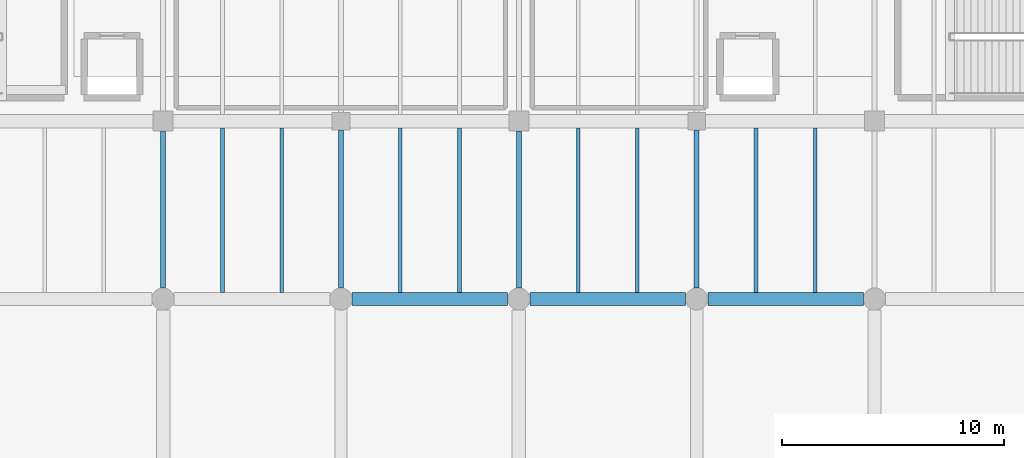
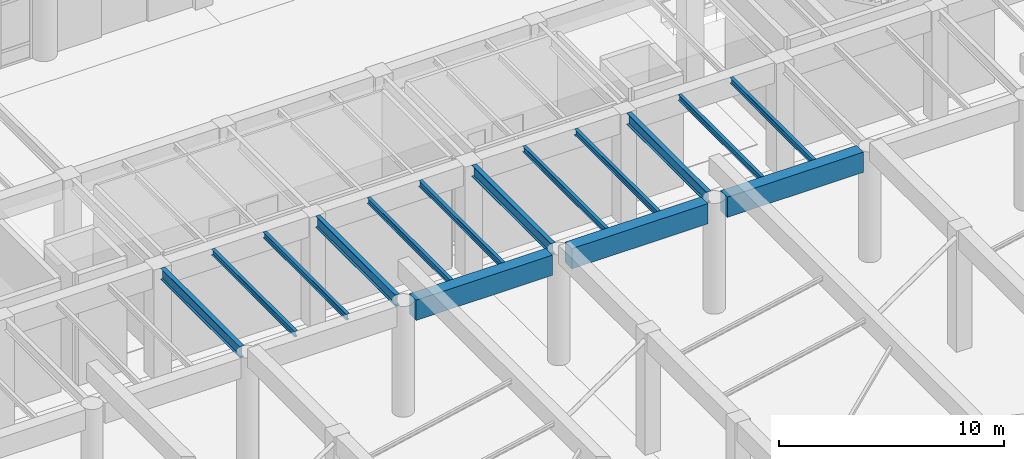
# One storey, part 14 of 51: 15 beams.
"""IFC4 building model written with IfcOpenShell, lengths in metres."""

from ifc_helpers import new_model, si_unit, direction, frame, origin, origin_2d, place, context, subcontext, project, spatial, rectangle, i_section, extrude, material, material_profile, profile_set, type_object, element, save


model = new_model("IFC4")

# Units and contexts
model_context = context("Model", 3, precision=1e-05, world=origin(), true_north=direction((0.0, 1.0)))
body_context = subcontext(model_context, "Body", "Model", "MODEL_VIEW")
ifc_project = project(units=[si_unit("LENGTHUNIT", "METRE"), si_unit("AREAUNIT", "SQUARE_METRE"), si_unit("VOLUMEUNIT", "CUBIC_METRE"), si_unit("PLANEANGLEUNIT", "RADIAN"), si_unit("MASSUNIT", "GRAM", prefix="KILO")], contexts=[model_context])

# Site, building, storey
site_placement = place(None, origin())
site = spatial("IfcSite", under=ifc_project, at=site_placement, CompositionType="ELEMENT")
building_placement = place(site_placement, origin())
building = spatial("IfcBuilding", under=site, at=building_placement, Name="Varnela Railside Interchange", CompositionType="ELEMENT")
storey_placement = place(building_placement, origin())
storey = spatial("IfcBuildingStorey", under=building, at=storey_placement, Name="L00", CompositionType="ELEMENT", Elevation=0.0)

# Beams
ifc_material_1 = material(Name="Steel AR 350 (350 MPa)", Category="steel")
ifc_material_profile_1 = material_profile(ifc_material_1, i_section(OverallWidth=0.1669921875, OverallDepth=0.31689453125, WebThickness=0.007568359375, FlangeThickness=0.01318359375, at=origin_2d()), Name="W310x52")
ifc_profile_set_1 = profile_set([ifc_material_profile_1], Name="Steel AR 350 (350 MPa)")
beam_type_1 = type_object("IfcBeamType", Name="Composite Long-Span Joist J-03", PredefinedType="JOIST", material=ifc_profile_set_1)
for number, where, z_axis, x_axis, name in (
    (1, (70.669921875, 30.300048828125, 5.861572265625), (0.0, 1.0, 0.0), (-1.0, 0.0, 0.0), "Composite Long-Span Joist J-03 (L00) (BM-1181)"),
    (2, (73.330078125, 30.300048828125, 5.861572265625), (0.0, 1.0, 0.0), (-1.0, 0.0, 0.0), "Composite Long-Span Joist J-03 (L00) (BM-1182)"),
    (3, (78.669921875, 30.300048828125, 5.861572265625), (0.0, 1.0, 0.0), (-1.0, 0.0, 0.0), "Composite Long-Span Joist J-03 (L00) (BM-1185)"),
    (4, (81.330078125, 30.300048828125, 5.861572265625), (0.0, 1.0, 0.0), (-1.0, 0.0, 0.0), "Composite Long-Span Joist J-03 (L00) (BM-1186)"),
    (5, (86.669921875, 30.300048828125, 5.861572265625), (0.0, 1.0, 0.0), (-1.0, 0.0, 0.0), "Composite Long-Span Joist J-03 (L00) (BM-1038)"),
    (6, (89.330078125, 30.300048828125, 5.861572265625), (0.0, 1.0, 0.0), (-1.0, 0.0, 0.0), "Composite Long-Span Joist J-03 (L00) (BM-1039)"),
    (7, (94.669921875, 30.300048828125, 5.861572265625), (0.0, 1.0, 0.0), (-1.0, 0.0, 0.0), "Composite Long-Span Joist J-03 (L00) (BM-1042)"),
    (8, (97.330078125, 30.300048828125, 5.861572265625), (0.0, 1.0, 0.0), (-1.0, 0.0, 0.0), "Composite Long-Span Joist J-03 (L00) (BM-1043)"),
):
    element("IfcBeam", number, at=place(storey_placement, frame(where, z_axis=z_axis, x_axis=x_axis)), inside=storey, type_object=beam_type_1, Name=name, PredefinedType="JOIST", context=body_context, shape_type="SweptSolid", body=[
        extrude(i_section(OverallWidth=0.1669921875, OverallDepth=0.31689453125, WebThickness=0.007568359375, FlangeThickness=0.01318359375, at=origin_2d()), origin(), (0.0, 0.0, 1.0), 7.39990234375),
    ])
ifc_material_2 = material(Name="Concrete C50", Category="concrete")
ifc_material_profile_2 = material_profile(ifc_material_2, rectangle(XDim=0.60009765625, YDim=1.10009765625, at=origin_2d()), Name="RC 600x1100")
ifc_profile_set_2 = profile_set([ifc_material_profile_2], Name="Concrete C50")
beam_type_2 = type_object("IfcBeamType", Name="Concourse RC Girder B-06", PredefinedType="BEAM", material=ifc_profile_set_2)
for number, where, z_axis, x_axis, name in (
    (9, (76.5, 30.0, 5.469970703125), (1.0, 0.0, 0.0), (0.0, 1.0, 0.0), "Concourse RC Girder B-06 (L00) (BM-1198)"),
    (10, (84.5, 30.0, 5.469970703125), (1.0, 0.0, 0.0), (0.0, 1.0, 0.0), "Concourse RC Girder B-06 (L00) (BM-1199)"),
    (11, (92.5, 30.0, 5.469970703125), (1.0, 0.0, 0.0), (0.0, 1.0, 0.0), "Concourse RC Girder B-06 (L00) (BM-1200)"),
):
    element("IfcBeam", number, at=place(storey_placement, frame(where, z_axis=z_axis, x_axis=x_axis)), inside=storey, type_object=beam_type_2, Name=name, PredefinedType="BEAM", context=body_context, shape_type="SweptSolid", body=[
        extrude(rectangle(XDim=0.60009765625, YDim=1.10009765625, at=origin_2d()), origin(), (0.0, 0.0, 1.0), 7.0),
    ])
ifc_material_profile_3 = material_profile(ifc_material_1, i_section(OverallWidth=0.22900390625, OverallDepth=0.612060546875, WebThickness=0.011962890625, FlangeThickness=0.01953125, at=origin_2d()), Name="W610x125")
ifc_profile_set_3 = profile_set([ifc_material_profile_3], Name="Steel AR 350 (350 MPa)")
beam_type_3 = type_object("IfcBeamType", Name="Podium Composite Girder B-15", PredefinedType="BEAM", material=ifc_profile_set_3)
beam_1_placement = place(storey_placement, frame((68.0, 30.5, 5.714111328125), z_axis=(0.0, 1.0, 0.0), x_axis=(-1.0, 0.0, 0.0)))
element("IfcBeam", 12, at=beam_1_placement, inside=storey, type_object=beam_type_3, Name="Podium Composite Girder B-15 (L00) (BM-1388)", PredefinedType="BEAM", context=body_context, shape_type="SweptSolid", body=[
    extrude(i_section(OverallWidth=0.22900390625, OverallDepth=0.612060546875, WebThickness=0.011962890625, FlangeThickness=0.01953125, at=origin_2d()), origin(), (0.0, 0.0, 1.0), 7.050048828125),
])
beam_2_placement = place(storey_placement, frame((76.0, 30.5, 5.714111328125), z_axis=(0.0, 1.0, 0.0), x_axis=(-1.0, 0.0, 0.0)))
element("IfcBeam", 13, at=beam_2_placement, inside=storey, type_object=beam_type_3, Name="Podium Composite Girder B-15 (L00) (BM-1300)", PredefinedType="BEAM", context=body_context, shape_type="SweptSolid", body=[
    extrude(i_section(OverallWidth=0.22900390625, OverallDepth=0.612060546875, WebThickness=0.011962890625, FlangeThickness=0.01953125, at=origin_2d()), origin(), (0.0, 0.0, 1.0), 7.10009765625),
])
beam_3_placement = place(storey_placement, frame((84.0, 30.5, 5.714111328125), z_axis=(0.0, 1.0, 0.0), x_axis=(-1.0, 0.0, 0.0)))
element("IfcBeam", 14, at=beam_3_placement, inside=storey, type_object=beam_type_3, Name="Podium Composite Girder B-15 (L00) (BM-1302)", PredefinedType="BEAM", context=body_context, shape_type="SweptSolid", body=[
    extrude(i_section(OverallWidth=0.22900390625, OverallDepth=0.612060546875, WebThickness=0.011962890625, FlangeThickness=0.01953125, at=origin_2d()), origin(), (0.0, 0.0, 1.0), 7.050048828125),
])
beam_4_placement = place(storey_placement, frame((92.0, 30.5, 5.714111328125), z_axis=(0.0, 1.0, 0.0), x_axis=(-1.0, 0.0, 0.0)))
element("IfcBeam", 15, at=beam_4_placement, inside=storey, type_object=beam_type_3, Name="Podium Composite Girder B-15 (L00) (BM-1304)", PredefinedType="BEAM", context=body_context, shape_type="SweptSolid", body=[
    extrude(i_section(OverallWidth=0.22900390625, OverallDepth=0.612060546875, WebThickness=0.011962890625, FlangeThickness=0.01953125, at=origin_2d()), origin(), (0.0, 0.0, 1.0), 7.10009765625),
])

save(model, "model.ifc")
